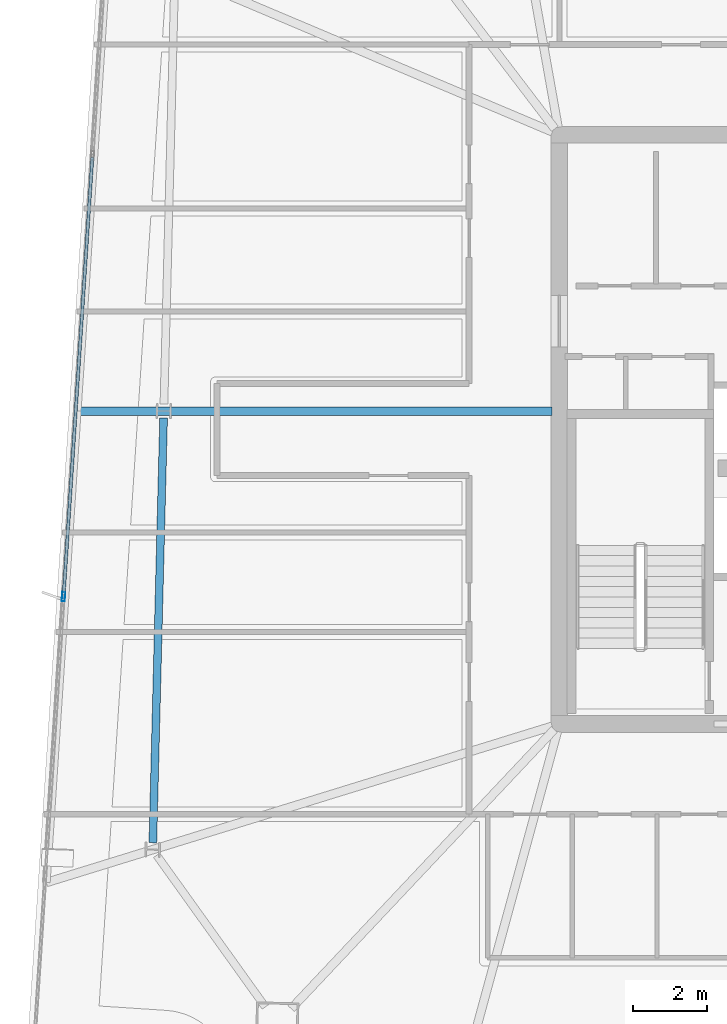
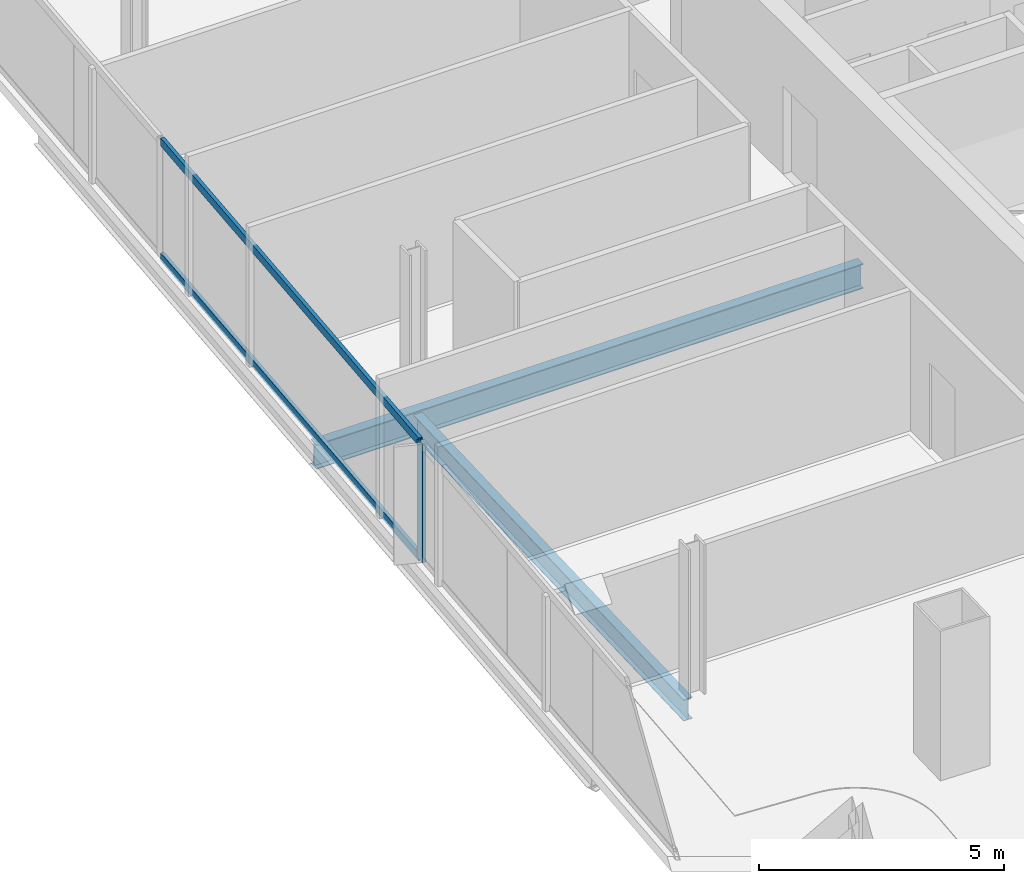
# One storey, part 6 of 24: 3 members, 2 beams, 1 element without a shape of its own.
"""IFC4 building model written with IfcOpenShell, lengths in metres."""

from ifc_helpers import new_model, si_unit, direction, frame, origin, origin_2d, place, context, subcontext, project, spatial, hollow_rectangle, i_section, extrude, material, material_profile, profile_set, type_object, element, aggregate, save


model = new_model("IFC4")

# Units and contexts
model_context = context("Model", 3, precision=1e-05, world=origin(), true_north=direction((0.0, 1.0)))
body_context = subcontext(model_context, "Body", "Model", "MODEL_VIEW")
ifc_project = project(units=[si_unit("LENGTHUNIT", "METRE"), si_unit("AREAUNIT", "SQUARE_METRE"), si_unit("VOLUMEUNIT", "CUBIC_METRE"), si_unit("PLANEANGLEUNIT", "RADIAN"), si_unit("MASSUNIT", "GRAM", prefix="KILO")], contexts=[model_context])

# Site, building, storey
site_placement = place(None, origin())
site = spatial("IfcSite", under=ifc_project, at=site_placement, CompositionType="ELEMENT")
building_placement = place(site_placement, origin())
building = spatial("IfcBuilding", under=site, at=building_placement, Name="Haldenkirk Collegiate Tower", CompositionType="ELEMENT")
storey_placement = place(building_placement, frame((0.0, 0.0, 317.699951171875)))
storey = spatial("IfcBuildingStorey", under=building, at=storey_placement, Name="L80", CompositionType="ELEMENT", Elevation=317.699951171875)

# Beams
ifc_material_1 = material(Name="Steel ASTM A992 Grade 50", Category="steel")
ifc_material_profile_1 = material_profile(ifc_material_1, i_section(OverallWidth=0.22998046875, OverallDepth=0.616943359375, WebThickness=0.01318359375, FlangeThickness=0.022216796875, at=origin_2d()), Name="W24X94")
ifc_profile_set_1 = profile_set([ifc_material_profile_1], Name="Steel ASTM A992 Grade 50")
beam_type_1 = type_object("IfcBeamType", Name="BM-GIRDER-W24X94", PredefinedType="BEAM", material=ifc_profile_set_1)
beam_1_placement = place(storey_placement, frame((13.905517578125, 26.499755859375, -0.568359375), z_axis=(1.0, 0.0, 0.0), x_axis=(0.0, 1.0, 0.0)))
element("IfcBeam", 1, at=beam_1_placement, inside=storey, type_object=beam_type_1, Name="L80 primary floor girder 12", PredefinedType="BEAM", context=body_context, shape_type="SweptSolid", body=[
    extrude(i_section(OverallWidth=0.22998046875, OverallDepth=0.616943359375, WebThickness=0.01318359375, FlangeThickness=0.022216796875, at=origin_2d()), origin(), (0.0, 0.0, 1.0), 12.889404296875),
])
ifc_material_profile_2 = material_profile(ifc_material_1, i_section(OverallWidth=0.2099609375, OverallDepth=0.537109375, WebThickness=0.010986328125, FlangeThickness=0.017333984375, at=origin_2d()), Name="W21X68")
ifc_profile_set_2 = profile_set([ifc_material_profile_2], Name="Steel ASTM A992 Grade 50")
beam_type_2 = type_object("IfcBeamType", Name="BM-SPANDREL-W21X68", PredefinedType="SPANDREL", material=ifc_profile_set_2)
beam_2_placement = place(storey_placement, frame((16.25146484375, 26.31201171875, -0.528564453125), z_axis=(-0.02528078186, -0.999680389959, 0.0), x_axis=(0.999680389959, -0.02528078186, 0.0)))
element("IfcBeam", 2, at=beam_2_placement, inside=storey, type_object=beam_type_2, Name="L80 perimeter spandrel beam 11", PredefinedType="SPANDREL", context=body_context, shape_type="SweptSolid", body=[
    extrude(i_section(OverallWidth=0.2099609375, OverallDepth=0.537109375, WebThickness=0.010986328125, FlangeThickness=0.017333984375, at=origin_2d()), origin(), (0.0, 0.0, 1.0), 11.540283203125),
])

# Curtain wall, members
ifc_material_2 = material(Name="Anodised architectural bronze aluminium", Category="aluminium")
curtain_wall_type = type_object("IfcCurtainWallType", Name="CW-SYS1B-CONVEX-HI", PredefinedType="USERDEFINED", material=ifc_material_2)
curtain_wall_placement = place(storey_placement, origin())
curtain_wall = element("IfcCurtainWall", 3, at=curtain_wall_placement, inside=storey, type_object=curtain_wall_type, Name="L80 Upper tower high-wind convex bronze unitised curtain wall", ObjectType="UNITISED CURTAIN WALL", PredefinedType="USERDEFINED")
ifc_material_profile_3 = material_profile(ifc_material_2, hollow_rectangle(XDim=0.0849609375, YDim=0.25, WallThickness=0.0048828125, at=origin_2d()), Name="CW-MUL-1B")
ifc_profile_set_3 = profile_set([ifc_material_profile_3], Name="Anodised architectural bronze aluminium")
member_type_1 = type_object("IfcMemberType", Name="CW-MUL-1B", PredefinedType="MULLION", material=ifc_profile_set_3)
member_1_placement = place(storey_placement, frame((13.534912109375, 21.45947265625, 0.0), z_axis=(0.0, 0.0, 1.0), x_axis=(-0.99785893177, 0.065402999064, 0.0)))
member_1 = element("IfcMember", 4, at=member_1_placement, type_object=member_type_1, Name="CW-1B mullion 2", PredefinedType="MULLION", context=body_context, shape_type="SweptSolid", body=[
    extrude(hollow_rectangle(XDim=0.0849609375, YDim=0.25, WallThickness=0.0048828125, at=origin_2d()), origin(), (0.0, 0.0, 1.0), 2.947998046875),
])
ifc_material_profile_4 = material_profile(ifc_material_2, hollow_rectangle(XDim=0.0849609375, YDim=0.199951171875, WallThickness=0.0048828125, at=origin_2d()), Name="CW-TRN-1B")
ifc_profile_set_4 = profile_set([ifc_material_profile_4], Name="Anodised architectural bronze aluminium")
member_type_2 = type_object("IfcMemberType", Name="CW-TRN-1B", PredefinedType="USERDEFINED", material=ifc_profile_set_4)
member_2_placement = place(storey_placement, frame((13.53759765625, 21.501953125, 0.04248046875), z_axis=(0.065405147145, 0.997858790975, 0.0), x_axis=(-0.997858790975, 0.065405147145, 0.0)))
member_2 = element("IfcMember", 5, at=member_2_placement, type_object=member_type_2, Name="CW-1B transom 2.1", ObjectType="TRANSOM", PredefinedType="USERDEFINED", context=body_context, shape_type="SweptSolid", body=[
    extrude(hollow_rectangle(XDim=0.0849609375, YDim=0.199951171875, WallThickness=0.0048828125, at=origin_2d()), origin(), (0.0, 0.0, 1.0), 11.914794921875),
])
member_3_placement = place(storey_placement, frame((13.53759765625, 21.501953125, 2.905517578125), z_axis=(0.065405147145, 0.997858790975, 0.0), x_axis=(-0.997858790975, 0.065405147145, 0.0)))
member_3 = element("IfcMember", 6, at=member_3_placement, type_object=member_type_2, Name="CW-1B transom 2.2", ObjectType="TRANSOM", PredefinedType="USERDEFINED", context=body_context, shape_type="SweptSolid", body=[
    extrude(hollow_rectangle(XDim=0.0849609375, YDim=0.199951171875, WallThickness=0.0048828125, at=origin_2d()), origin(), (0.0, 0.0, 1.0), 11.914794921875),
])
aggregate(curtain_wall, [member_1, member_2, member_3])

save(model, "model.ifc")
